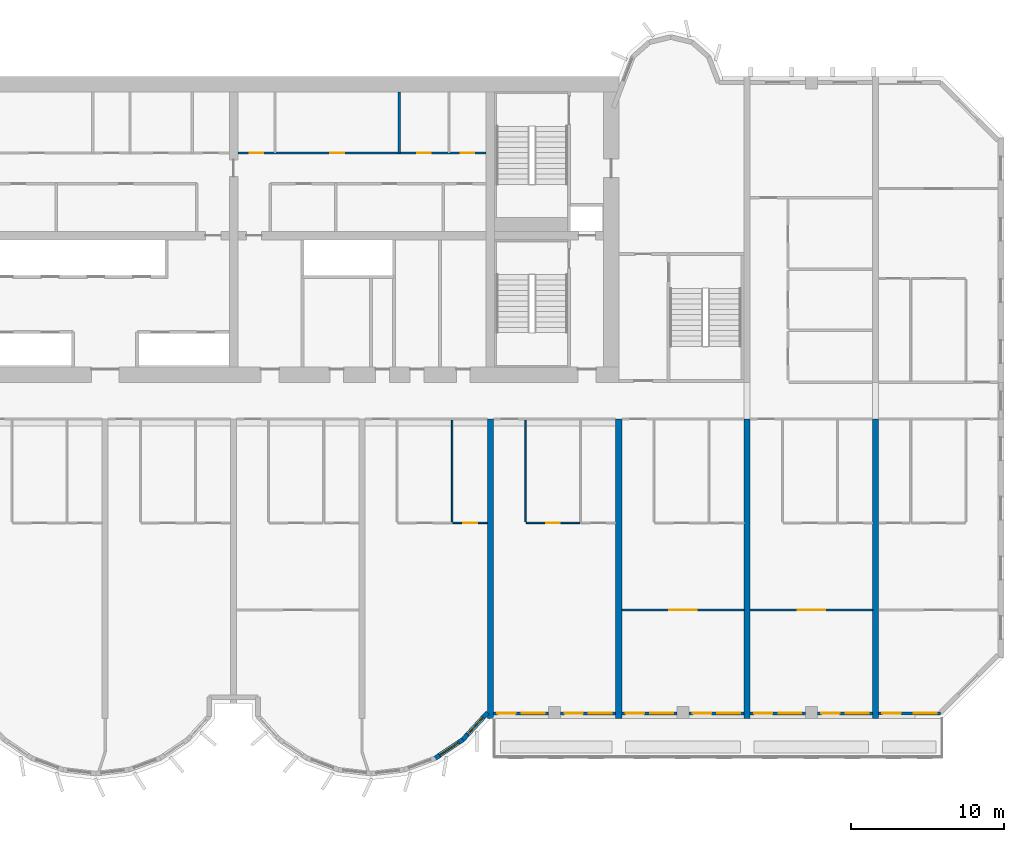
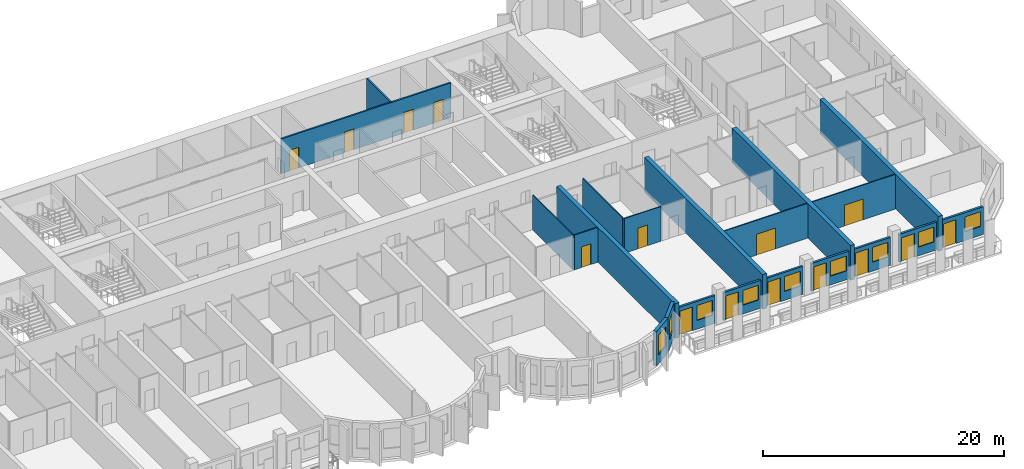
# One storey, part 8 of 15: 21 walls, 15 doors, 9 windows, 24 openings.
"""IFC4 building model written with IfcOpenShell, lengths in metres."""

from ifc_helpers import new_model, si_unit, direction, frame, frame_2d, origin, place, context, subcontext, project, spatial, rectangle, extrude, source, transform, mapped, material, layer, layer_set, type_object, element, fill, save


model = new_model("IFC4")

# Units and contexts
model_context = context("Model", 3, precision=1e-05, world=origin(), true_north=direction((0.0, 1.0)))
body_context = subcontext(model_context, "Body", "Model", "MODEL_VIEW")
ifc_project = project(units=[si_unit("LENGTHUNIT", "METRE"), si_unit("AREAUNIT", "SQUARE_METRE"), si_unit("VOLUMEUNIT", "CUBIC_METRE"), si_unit("PLANEANGLEUNIT", "RADIAN"), si_unit("MASSUNIT", "GRAM", prefix="KILO")], contexts=[model_context])

# Site, building, storey
site_placement = place(None, origin())
site = spatial("IfcSite", under=ifc_project, at=site_placement, CompositionType="ELEMENT")
building_placement = place(site_placement, origin())
building = spatial("IfcBuilding", under=site, at=building_placement, Name="Vanashikhar Sky Hotel", CompositionType="ELEMENT")
storey_placement = place(building_placement, frame((0.0, 0.0, 62.0)))
storey = spatial("IfcBuildingStorey", under=building, at=storey_placement, Name="L14", CompositionType="ELEMENT", Elevation=62.0)

# Walls
ifc_material_1 = material(Name="Concrete M80", Category="concrete")
ifc_layer_1 = layer(ifc_material_1, 0.39990234375)
ifc_layer_set_1 = layer_set([ifc_layer_1], Name="RC shear wall 400 Concrete M80")
wall_type_1 = type_object("IfcWallType", Name="RC shear wall 400 Concrete M80", PredefinedType="SHEAR", material=ifc_layer_set_1)
shared_shape_1 = source(origin(), body_context, "Body", "SweptSolid", [
    extrude(rectangle(XDim=19.60009765625, YDim=0.39990234375, at=frame_2d((9.800048828125, 0.0))), origin(), (0.0, 0.0, 1.0), 3.52001953125),
])
for number, where, z_axis, x_axis, name in (
    (1, (67.199951171875, 0.0, 0.0), (0.0, 0.0, 1.0), (0.0, 1.0, 0.0), "CW-L14-XW09-1"),
    (2, (75.60009765625, 0.0, 0.0), (0.0, 0.0, 1.0), (0.0, 1.0, 0.0), "CW-L14-XW10-1"),
    (3, (84.0, 0.0, 0.0), (0.0, 0.0, 1.0), (0.0, 1.0, 0.0), "CW-L14-XW11-1"),
    (4, (92.39990234375, 0.0, 0.0), (0.0, 0.0, 1.0), (0.0, 1.0, 0.0), "CW-L14-XW12-1"),
):
    element("IfcWall", number, at=place(storey_placement, frame(where, z_axis=z_axis, x_axis=x_axis)), inside=storey, type_object=wall_type_1, Name=name, PredefinedType="SHEAR", context=body_context, shape_type="MappedRepresentation", body=[
        mapped(shared_shape_1, transform((0.0, 0.0, 0.0), scale=1.0)),
    ])

# Wall, opening, window
ifc_material_2 = material(Name="Concrete M50", Category="concrete")
ifc_layer_2 = layer(ifc_material_2, 0.300048828125)
ifc_layer_set_2 = layer_set([ifc_layer_2], Name="Lobe wall 300")
wall_type_2 = type_object("IfcWallType", Name="Lobe wall 300", PredefinedType="SOLIDWALL", material=ifc_layer_set_2)
shared_shape_2 = source(origin(), body_context, "Body", "SweptSolid", [
    extrude(rectangle(XDim=2.398193359375, YDim=0.300048828125, at=frame_2d((1.19921875, 0.0))), origin(), (0.0, 0.0, 1.0), 3.52001953125),
])
wall_1_placement = place(storey_placement, frame((65.404296875, -1.36865234375, 0.0), z_axis=(0.0, 0.0, 1.0), x_axis=(0.675374189419, 0.737475222815, 0.0)))
wall_1 = element("IfcWall", 5, at=wall_1_placement, inside=storey, type_object=wall_type_2, Name="Lobe wall", PredefinedType="SOLIDWALL", context=body_context, shape_type="MappedRepresentation", body=[
    mapped(shared_shape_2, transform((0.0, 0.0, 0.0), scale=1.0)),
])
shared_shape_3 = source(origin(), body_context, "Body", "SweptSolid", [
    extrude(rectangle(XDim=1.5, YDim=2.0, at=frame_2d((0.75, 1.0))), frame((0.0, 0.16015625, 0.0), z_axis=(0.0, -1.0, 0.0), x_axis=(1.0, 0.0, 0.0)), (0.0, 0.0, 1.0), 0.320068359375),
])
opening_1_placement = place(wall_1_placement, frame((0.44921875, 0.0, 0.89990234375)))
opening_1 = element("IfcOpeningElement", 6, at=opening_1_placement, cuts=wall_1, Name="Opening WN-2", PredefinedType="OPENING", context=body_context, shape_type="MappedRepresentation", body=[
    mapped(shared_shape_3, transform((0.0, 0.0, 0.0), scale=1.0)),
])
ifc_material_3 = material(Name="Glass", Category="glass")
window_type_1 = type_object("IfcWindowType", Name="Lobe window 1500 x 2000", PartitioningType="SINGLE_PANEL", PredefinedType="WINDOW", material=ifc_material_3)
shared_shape_4 = source(origin(), body_context, "Body", "SweptSolid", [
    extrude(rectangle(XDim=1.5, YDim=2.0, at=frame_2d((0.75, 1.0))), frame((0.0, 0.030029296875, 0.0), z_axis=(0.0, -1.0, 0.0), x_axis=(1.0, 0.0, 0.0)), (0.0, 0.0, 1.0), 0.06005859375),
])
window_1_placement = place(opening_1_placement, origin())
window_1 = element("IfcWindow", 7, at=window_1_placement, inside=storey, type_object=window_type_1, Name="Window WN-2", OverallHeight=2.0, OverallWidth=1.5, PartitioningType="SINGLE_PANEL", PredefinedType="WINDOW", context=body_context, shape_type="MappedRepresentation", body=[
    mapped(shared_shape_4, transform((0.0, 0.0, 0.0), scale=1.0)),
])
fill(opening_1, window_1)

shared_shape_5 = source(origin(), body_context, "Body", "SweptSolid", [
    extrude(rectangle(XDim=2.17578125, YDim=0.300048828125, at=frame_2d((1.087890625, 0.0))), origin(), (0.0, 0.0, 1.0), 3.52001953125),
])
wall_2_placement = place(storey_placement, frame((63.59912109375, -2.58349609375, 0.0), z_axis=(0.0, 0.0, 1.0), x_axis=(0.829625727223, 0.558319937607, 0.0)))
wall_2 = element("IfcWall", 8, at=wall_2_placement, inside=storey, type_object=wall_type_2, Name="Lobe wall", PredefinedType="SOLIDWALL", context=body_context, shape_type="MappedRepresentation", body=[
    mapped(shared_shape_5, transform((0.0, 0.0, 0.0), scale=1.0)),
])
opening_2_placement = place(wall_2_placement, frame((0.337890625, 0.0, 0.89990234375)))
opening_2 = element("IfcOpeningElement", 9, at=opening_2_placement, cuts=wall_2, Name="Opening WN-2", PredefinedType="OPENING", context=body_context, shape_type="MappedRepresentation", body=[
    mapped(shared_shape_3, transform((0.0, 0.0, 0.0), scale=1.0)),
])
window_2_placement = place(opening_2_placement, origin())
window_2 = element("IfcWindow", 10, at=window_2_placement, inside=storey, type_object=window_type_1, Name="Window WN-2", OverallHeight=2.0, OverallWidth=1.5, PartitioningType="SINGLE_PANEL", PredefinedType="WINDOW", context=body_context, shape_type="MappedRepresentation", body=[
    mapped(shared_shape_4, transform((0.0, 0.0, 0.0), scale=1.0)),
])
fill(opening_2, window_2)

# Wall, openings, window, door
ifc_layer_3 = layer(ifc_material_2, 0.199951171875)
ifc_layer_set_3 = layer_set([ifc_layer_3], Name="Front window wall 200")
wall_type_3 = type_object("IfcWallType", Name="Front window wall 200", PredefinedType="SOLIDWALL", material=ifc_layer_set_3)
shared_shape_6 = source(origin(), body_context, "Body", "SweptSolid", [
    extrude(rectangle(XDim=4.054931640625, YDim=0.199951171875, at=frame_2d((2.02734375, 0.0))), origin(), (0.0, 0.0, 1.0), 2.820068359375),
])
wall_3_placement = place(storey_placement, frame((92.60009765625, 0.35009765625, 0.0), z_axis=(0.0, 0.0, 1.0), x_axis=(1.0, 0.0, 0.0)))
wall_3 = element("IfcWall", 11, at=wall_3_placement, inside=storey, type_object=wall_type_3, Name="Front window wall", PredefinedType="SOLIDWALL", context=body_context, shape_type="MappedRepresentation", body=[
    mapped(shared_shape_6, transform((0.0, 0.0, 0.0), scale=1.0)),
])
shared_shape_7 = source(origin(), body_context, "Body", "SweptSolid", [
    extrude(rectangle(XDim=1.199951171875, YDim=2.39990234375, at=frame_2d((0.60009765625, 1.199951171875))), frame((0.0, 0.10986328125, 0.0), z_axis=(0.0, -1.0, 0.0), x_axis=(1.0, 0.0, 0.0)), (0.0, 0.0, 1.0), 0.219970703125),
])
opening_3_placement = place(wall_3_placement, frame((0.25, 0.0, 0.0)))
opening_3 = element("IfcOpeningElement", 12, at=opening_3_placement, cuts=wall_3, Name="Opening BD-14", PredefinedType="OPENING", context=body_context, shape_type="MappedRepresentation", body=[
    mapped(shared_shape_7, transform((0.0, 0.0, 0.0), scale=1.0)),
])
shared_shape_8 = source(origin(), body_context, "Body", "SweptSolid", [
    extrude(rectangle(XDim=1.5, YDim=1.5, at=frame_2d((0.75, 0.75))), frame((0.0, 0.10986328125, 0.0), z_axis=(0.0, -1.0, 0.0), x_axis=(1.0, 0.0, 0.0)), (0.0, 0.0, 1.0), 0.219970703125),
])
opening_4_placement = place(wall_3_placement, frame((2.304931640625, 0.0, 0.89990234375)))
opening_4 = element("IfcOpeningElement", 13, at=opening_4_placement, cuts=wall_3, Name="Opening WN-1", PredefinedType="OPENING", context=body_context, shape_type="MappedRepresentation", body=[
    mapped(shared_shape_8, transform((0.0, 0.0, 0.0), scale=1.0)),
])
window_type_2 = type_object("IfcWindowType", Name="Window 1500 x 1500", PartitioningType="SINGLE_PANEL", PredefinedType="WINDOW", material=ifc_material_3)
shared_shape_9 = source(origin(), body_context, "Body", "SweptSolid", [
    extrude(rectangle(XDim=1.5, YDim=1.5, at=frame_2d((0.75, 0.75))), frame((0.0, 0.030029296875, 0.0), z_axis=(0.0, -1.0, 0.0), x_axis=(1.0, 0.0, 0.0)), (0.0, 0.0, 1.0), 0.06005859375),
])
window_3_placement = place(opening_4_placement, origin())
window_3 = element("IfcWindow", 14, at=window_3_placement, inside=storey, type_object=window_type_2, Name="Window WN-1", OverallHeight=1.5, OverallWidth=1.5, PartitioningType="SINGLE_PANEL", PredefinedType="WINDOW", context=body_context, shape_type="MappedRepresentation", body=[
    mapped(shared_shape_9, transform((0.0, 0.0, 0.0), scale=1.0)),
])
fill(opening_4, window_3)
ifc_material_4 = material(Name="Aluminium", Category="aluminium")
door_type_1 = type_object("IfcDoorType", Name="Balcony sliding door 1200 x 2400", OperationType="NOTDEFINED", PredefinedType="DOOR", material=ifc_material_4)
shared_shape_10 = source(origin(), body_context, "Body", "SweptSolid", [
    extrude(rectangle(XDim=1.199951171875, YDim=2.39990234375, at=frame_2d((0.60009765625, 1.199951171875))), frame((0.0, 0.02490234375, 0.0), z_axis=(0.0, -1.0, 0.0), x_axis=(1.0, 0.0, 0.0)), (0.0, 0.0, 1.0), 0.050048828125),
])
door_1_placement = place(opening_3_placement, origin())
door_1 = element("IfcDoor", 15, at=door_1_placement, inside=storey, type_object=door_type_1, Name="Balcony sliding door", OperationType="SLIDING_TO_RIGHT", OverallHeight=2.39990234375, OverallWidth=1.199951171875, PredefinedType="DOOR", context=body_context, shape_type="MappedRepresentation", body=[
    mapped(shared_shape_10, transform((0.0, 0.0, 0.0), scale=1.0)),
])
fill(opening_3, door_1)

shared_shape_11 = source(origin(), body_context, "Body", "SweptSolid", [
    extrude(rectangle(XDim=3.599853515625, YDim=0.199951171875, at=frame_2d((1.7998046875, 0.0))), origin(), (0.0, 0.0, 1.0), 2.820068359375),
])
wall_4_placement = place(storey_placement, frame((71.800048828125, 0.35009765625, 0.0), z_axis=(0.0, 0.0, 1.0), x_axis=(1.0, 0.0, 0.0)))
wall_4 = element("IfcWall", 16, at=wall_4_placement, inside=storey, type_object=wall_type_3, Name="Front window wall", PredefinedType="SOLIDWALL", context=body_context, shape_type="MappedRepresentation", body=[
    mapped(shared_shape_11, transform((0.0, 0.0, 0.0), scale=1.0)),
])
opening_5_placement = place(wall_4_placement, frame((0.25, 0.0, 0.0)))
opening_5 = element("IfcOpeningElement", 17, at=opening_5_placement, cuts=wall_4, Name="Opening BD-09", PredefinedType="OPENING", context=body_context, shape_type="MappedRepresentation", body=[
    mapped(shared_shape_7, transform((0.0, 0.0, 0.0), scale=1.0)),
])
opening_6_placement = place(wall_4_placement, frame((1.85009765625, 0.0, 0.89990234375)))
opening_6 = element("IfcOpeningElement", 18, at=opening_6_placement, cuts=wall_4, Name="Opening WN-1", PredefinedType="OPENING", context=body_context, shape_type="MappedRepresentation", body=[
    mapped(shared_shape_8, transform((0.0, 0.0, 0.0), scale=1.0)),
])
window_4_placement = place(opening_6_placement, origin())
window_4 = element("IfcWindow", 19, at=window_4_placement, inside=storey, type_object=window_type_2, Name="Window WN-1", OverallHeight=1.5, OverallWidth=1.5, PartitioningType="SINGLE_PANEL", PredefinedType="WINDOW", context=body_context, shape_type="MappedRepresentation", body=[
    mapped(shared_shape_9, transform((0.0, 0.0, 0.0), scale=1.0)),
])
fill(opening_6, window_4)
door_2_placement = place(opening_5_placement, origin())
door_2 = element("IfcDoor", 20, at=door_2_placement, inside=storey, type_object=door_type_1, Name="Balcony sliding door", OperationType="SLIDING_TO_LEFT", OverallHeight=2.39990234375, OverallWidth=1.199951171875, PredefinedType="DOOR", context=body_context, shape_type="MappedRepresentation", body=[
    mapped(shared_shape_10, transform((0.0, 0.0, 0.0), scale=1.0)),
])
fill(opening_5, door_2)

wall_5_placement = place(storey_placement, frame((75.800048828125, 0.35009765625, 0.0), z_axis=(0.0, 0.0, 1.0), x_axis=(1.0, 0.0, 0.0)))
wall_5 = element("IfcWall", 21, at=wall_5_placement, inside=storey, type_object=wall_type_3, Name="Front window wall", PredefinedType="SOLIDWALL", context=body_context, shape_type="MappedRepresentation", body=[
    mapped(shared_shape_11, transform((0.0, 0.0, 0.0), scale=1.0)),
])
opening_7_placement = place(wall_5_placement, frame((0.25, 0.0, 0.0)))
opening_7 = element("IfcOpeningElement", 22, at=opening_7_placement, cuts=wall_5, Name="Opening BD-10", PredefinedType="OPENING", context=body_context, shape_type="MappedRepresentation", body=[
    mapped(shared_shape_7, transform((0.0, 0.0, 0.0), scale=1.0)),
])
opening_8_placement = place(wall_5_placement, frame((1.85009765625, 0.0, 0.89990234375)))
opening_8 = element("IfcOpeningElement", 23, at=opening_8_placement, cuts=wall_5, Name="Opening WN-1", PredefinedType="OPENING", context=body_context, shape_type="MappedRepresentation", body=[
    mapped(shared_shape_8, transform((0.0, 0.0, 0.0), scale=1.0)),
])
window_5_placement = place(opening_8_placement, origin())
window_5 = element("IfcWindow", 24, at=window_5_placement, inside=storey, type_object=window_type_2, Name="Window WN-1", OverallHeight=1.5, OverallWidth=1.5, PartitioningType="SINGLE_PANEL", PredefinedType="WINDOW", context=body_context, shape_type="MappedRepresentation", body=[
    mapped(shared_shape_9, transform((0.0, 0.0, 0.0), scale=1.0)),
])
fill(opening_8, window_5)
door_3_placement = place(opening_7_placement, origin())
door_3 = element("IfcDoor", 25, at=door_3_placement, inside=storey, type_object=door_type_1, Name="Balcony sliding door", OperationType="SLIDING_TO_RIGHT", OverallHeight=2.39990234375, OverallWidth=1.199951171875, PredefinedType="DOOR", context=body_context, shape_type="MappedRepresentation", body=[
    mapped(shared_shape_10, transform((0.0, 0.0, 0.0), scale=1.0)),
])
fill(opening_7, door_3)

wall_6_placement = place(storey_placement, frame((88.60009765625, 0.35009765625, 0.0), z_axis=(0.0, 0.0, 1.0), x_axis=(1.0, 0.0, 0.0)))
wall_6 = element("IfcWall", 26, at=wall_6_placement, inside=storey, type_object=wall_type_3, Name="Front window wall", PredefinedType="SOLIDWALL", context=body_context, shape_type="MappedRepresentation", body=[
    mapped(shared_shape_11, transform((0.0, 0.0, 0.0), scale=1.0)),
])
opening_9_placement = place(wall_6_placement, frame((0.25, 0.0, 0.0)))
opening_9 = element("IfcOpeningElement", 27, at=opening_9_placement, cuts=wall_6, Name="Opening BD-13", PredefinedType="OPENING", context=body_context, shape_type="MappedRepresentation", body=[
    mapped(shared_shape_7, transform((0.0, 0.0, 0.0), scale=1.0)),
])
opening_10_placement = place(wall_6_placement, frame((1.85009765625, 0.0, 0.89990234375)))
opening_10 = element("IfcOpeningElement", 28, at=opening_10_placement, cuts=wall_6, Name="Opening WN-1", PredefinedType="OPENING", context=body_context, shape_type="MappedRepresentation", body=[
    mapped(shared_shape_8, transform((0.0, 0.0, 0.0), scale=1.0)),
])
window_6_placement = place(opening_10_placement, origin())
window_6 = element("IfcWindow", 29, at=window_6_placement, inside=storey, type_object=window_type_2, Name="Window WN-1", OverallHeight=1.5, OverallWidth=1.5, PartitioningType="SINGLE_PANEL", PredefinedType="WINDOW", context=body_context, shape_type="MappedRepresentation", body=[
    mapped(shared_shape_9, transform((0.0, 0.0, 0.0), scale=1.0)),
])
fill(opening_10, window_6)
door_4_placement = place(opening_9_placement, origin())
door_4 = element("IfcDoor", 30, at=door_4_placement, inside=storey, type_object=door_type_1, Name="Balcony sliding door", OperationType="SLIDING_TO_LEFT", OverallHeight=2.39990234375, OverallWidth=1.199951171875, PredefinedType="DOOR", context=body_context, shape_type="MappedRepresentation", body=[
    mapped(shared_shape_10, transform((0.0, 0.0, 0.0), scale=1.0)),
])
fill(opening_9, door_4)

shared_shape_12 = source(origin(), body_context, "Body", "SweptSolid", [
    extrude(rectangle(XDim=3.60009765625, YDim=0.199951171875, at=frame_2d((1.800048828125, 0.0))), origin(), (0.0, 0.0, 1.0), 2.820068359375),
])
wall_7_placement = place(storey_placement, frame((67.39990234375, 0.35009765625, 0.0), z_axis=(0.0, 0.0, 1.0), x_axis=(1.0, 0.0, 0.0)))
wall_7 = element("IfcWall", 31, at=wall_7_placement, inside=storey, type_object=wall_type_3, Name="Front window wall", PredefinedType="SOLIDWALL", context=body_context, shape_type="MappedRepresentation", body=[
    mapped(shared_shape_12, transform((0.0, 0.0, 0.0), scale=1.0)),
])
opening_11_placement = place(wall_7_placement, frame((0.25, 0.0, 0.0)))
opening_11 = element("IfcOpeningElement", 32, at=opening_11_placement, cuts=wall_7, Name="Opening BD-08", PredefinedType="OPENING", context=body_context, shape_type="MappedRepresentation", body=[
    mapped(shared_shape_7, transform((0.0, 0.0, 0.0), scale=1.0)),
])
opening_12_placement = place(wall_7_placement, frame((1.85009765625, 0.0, 0.89990234375)))
opening_12 = element("IfcOpeningElement", 33, at=opening_12_placement, cuts=wall_7, Name="Opening WN-1", PredefinedType="OPENING", context=body_context, shape_type="MappedRepresentation", body=[
    mapped(shared_shape_8, transform((0.0, 0.0, 0.0), scale=1.0)),
])
window_7_placement = place(opening_12_placement, origin())
window_7 = element("IfcWindow", 34, at=window_7_placement, inside=storey, type_object=window_type_2, Name="Window WN-1", OverallHeight=1.5, OverallWidth=1.5, PartitioningType="SINGLE_PANEL", PredefinedType="WINDOW", context=body_context, shape_type="MappedRepresentation", body=[
    mapped(shared_shape_9, transform((0.0, 0.0, 0.0), scale=1.0)),
])
fill(opening_12, window_7)
door_5_placement = place(opening_11_placement, origin())
door_5 = element("IfcDoor", 35, at=door_5_placement, inside=storey, type_object=door_type_1, Name="Balcony sliding door", OperationType="SLIDING_TO_RIGHT", OverallHeight=2.39990234375, OverallWidth=1.199951171875, PredefinedType="DOOR", context=body_context, shape_type="MappedRepresentation", body=[
    mapped(shared_shape_10, transform((0.0, 0.0, 0.0), scale=1.0)),
])
fill(opening_11, door_5)

wall_8_placement = place(storey_placement, frame((80.199951171875, 0.35009765625, 0.0), z_axis=(0.0, 0.0, 1.0), x_axis=(1.0, 0.0, 0.0)))
wall_8 = element("IfcWall", 36, at=wall_8_placement, inside=storey, type_object=wall_type_3, Name="Front window wall", PredefinedType="SOLIDWALL", context=body_context, shape_type="MappedRepresentation", body=[
    mapped(shared_shape_12, transform((0.0, 0.0, 0.0), scale=1.0)),
])
opening_13_placement = place(wall_8_placement, frame((0.25, 0.0, 0.0)))
opening_13 = element("IfcOpeningElement", 37, at=opening_13_placement, cuts=wall_8, Name="Opening BD-11", PredefinedType="OPENING", context=body_context, shape_type="MappedRepresentation", body=[
    mapped(shared_shape_7, transform((0.0, 0.0, 0.0), scale=1.0)),
])
opening_14_placement = place(wall_8_placement, frame((1.85009765625, 0.0, 0.89990234375)))
opening_14 = element("IfcOpeningElement", 38, at=opening_14_placement, cuts=wall_8, Name="Opening WN-1", PredefinedType="OPENING", context=body_context, shape_type="MappedRepresentation", body=[
    mapped(shared_shape_8, transform((0.0, 0.0, 0.0), scale=1.0)),
])
window_8_placement = place(opening_14_placement, origin())
window_8 = element("IfcWindow", 39, at=window_8_placement, inside=storey, type_object=window_type_2, Name="Window WN-1", OverallHeight=1.5, OverallWidth=1.5, PartitioningType="SINGLE_PANEL", PredefinedType="WINDOW", context=body_context, shape_type="MappedRepresentation", body=[
    mapped(shared_shape_9, transform((0.0, 0.0, 0.0), scale=1.0)),
])
fill(opening_14, window_8)
door_6_placement = place(opening_13_placement, origin())
door_6 = element("IfcDoor", 40, at=door_6_placement, inside=storey, type_object=door_type_1, Name="Balcony sliding door", OperationType="SLIDING_TO_LEFT", OverallHeight=2.39990234375, OverallWidth=1.199951171875, PredefinedType="DOOR", context=body_context, shape_type="MappedRepresentation", body=[
    mapped(shared_shape_10, transform((0.0, 0.0, 0.0), scale=1.0)),
])
fill(opening_13, door_6)

wall_9_placement = place(storey_placement, frame((84.199951171875, 0.35009765625, 0.0), z_axis=(0.0, 0.0, 1.0), x_axis=(1.0, 0.0, 0.0)))
wall_9 = element("IfcWall", 41, at=wall_9_placement, inside=storey, type_object=wall_type_3, Name="Front window wall", PredefinedType="SOLIDWALL", context=body_context, shape_type="MappedRepresentation", body=[
    mapped(shared_shape_12, transform((0.0, 0.0, 0.0), scale=1.0)),
])
opening_15_placement = place(wall_9_placement, frame((0.25, 0.0, 0.0)))
opening_15 = element("IfcOpeningElement", 42, at=opening_15_placement, cuts=wall_9, Name="Opening BD-12", PredefinedType="OPENING", context=body_context, shape_type="MappedRepresentation", body=[
    mapped(shared_shape_7, transform((0.0, 0.0, 0.0), scale=1.0)),
])
opening_16_placement = place(wall_9_placement, frame((1.85009765625, 0.0, 0.89990234375)))
opening_16 = element("IfcOpeningElement", 43, at=opening_16_placement, cuts=wall_9, Name="Opening WN-1", PredefinedType="OPENING", context=body_context, shape_type="MappedRepresentation", body=[
    mapped(shared_shape_8, transform((0.0, 0.0, 0.0), scale=1.0)),
])
window_9_placement = place(opening_16_placement, origin())
window_9 = element("IfcWindow", 44, at=window_9_placement, inside=storey, type_object=window_type_2, Name="Window WN-1", OverallHeight=1.5, OverallWidth=1.5, PartitioningType="SINGLE_PANEL", PredefinedType="WINDOW", context=body_context, shape_type="MappedRepresentation", body=[
    mapped(shared_shape_9, transform((0.0, 0.0, 0.0), scale=1.0)),
])
fill(opening_16, window_9)
door_7_placement = place(opening_15_placement, origin())
door_7 = element("IfcDoor", 45, at=door_7_placement, inside=storey, type_object=door_type_1, Name="Balcony sliding door", OperationType="SLIDING_TO_RIGHT", OverallHeight=2.39990234375, OverallWidth=1.199951171875, PredefinedType="DOOR", context=body_context, shape_type="MappedRepresentation", body=[
    mapped(shared_shape_10, transform((0.0, 0.0, 0.0), scale=1.0)),
])
fill(opening_15, door_7)

# Wall, openings, doors
ifc_material_5 = material(Name="Gypsum board partition")
ifc_layer_4 = layer(ifc_material_5, 0.14990234375)
ifc_layer_set_4 = layer_set([ifc_layer_4], Name="Service partition 150")
wall_type_4 = type_object("IfcWallType", Name="Service partition 150", PredefinedType="PARTITIONING", material=ifc_layer_set_4)
shared_shape_13 = source(origin(), body_context, "Body", "SweptSolid", [
    extrude(rectangle(XDim=16.25, YDim=0.14990234375, at=frame_2d((8.125, 0.0))), origin(), (0.0, 0.0, 1.0), 3.52001953125),
])
wall_10_placement = place(storey_placement, frame((66.925048828125, 37.0, 0.0), z_axis=(0.0, 0.0, 1.0), x_axis=(-1.0, 0.0, 0.0)))
wall_10 = element("IfcWall", 46, at=wall_10_placement, inside=storey, type_object=wall_type_4, Name="Service partition 150", PredefinedType="PARTITIONING", context=body_context, shape_type="MappedRepresentation", body=[
    mapped(shared_shape_13, transform((0.0, 0.0, 0.0), scale=1.0)),
])
shared_shape_14 = source(origin(), body_context, "Body", "SweptSolid", [
    extrude(rectangle(XDim=0.89990234375, YDim=2.10009765625, at=frame_2d((0.449951171875, 1.050048828125))), frame((0.0, 0.0849609375, 0.0), z_axis=(0.0, -1.0, 0.0), x_axis=(1.0, 0.0, 0.0)), (0.0, 0.0, 1.0), 0.169921875),
])
opening_17_placement = place(wall_10_placement, frame((0.76904296875, 0.0, 0.0)))
opening_17 = element("IfcOpeningElement", 47, at=opening_17_placement, cuts=wall_10, Name="Opening DC-4-A", PredefinedType="OPENING", context=body_context, shape_type="MappedRepresentation", body=[
    mapped(shared_shape_14, transform((0.0, 0.0, 0.0), scale=1.0)),
])
opening_18_placement = place(wall_10_placement, frame((3.613037109375, 0.0, 0.0)))
opening_18 = element("IfcOpeningElement", 48, at=opening_18_placement, cuts=wall_10, Name="Opening DC-4-A", PredefinedType="OPENING", context=body_context, shape_type="MappedRepresentation", body=[
    mapped(shared_shape_14, transform((0.0, 0.0, 0.0), scale=1.0)),
])
opening_19_placement = place(wall_10_placement, frame((9.300048828125, 0.0, 0.0)))
opening_19 = element("IfcOpeningElement", 49, at=opening_19_placement, cuts=wall_10, Name="Opening DC-4-A", PredefinedType="OPENING", context=body_context, shape_type="MappedRepresentation", body=[
    mapped(shared_shape_14, transform((0.0, 0.0, 0.0), scale=1.0)),
])
opening_20_placement = place(wall_10_placement, frame((14.5810546875, 0.0, 0.0)))
opening_20 = element("IfcOpeningElement", 50, at=opening_20_placement, cuts=wall_10, Name="Opening DC-4-A", PredefinedType="OPENING", context=body_context, shape_type="MappedRepresentation", body=[
    mapped(shared_shape_14, transform((0.0, 0.0, 0.0), scale=1.0)),
])
ifc_material_6 = material(Name="Steel", Category="steel")
door_type_2 = type_object("IfcDoorType", Name="Service door 900 FD60", OperationType="NOTDEFINED", PredefinedType="DOOR", material=ifc_material_6)
shared_shape_15 = source(origin(), body_context, "Body", "SweptSolid", [
    extrude(rectangle(XDim=0.89990234375, YDim=2.10009765625, at=frame_2d((0.449951171875, 1.050048828125))), frame((0.0, 0.02490234375, 0.0), z_axis=(0.0, -1.0, 0.0), x_axis=(1.0, 0.0, 0.0)), (0.0, 0.0, 1.0), 0.050048828125),
])
door_8_placement = place(opening_17_placement, origin())
door_8 = element("IfcDoor", 51, at=door_8_placement, inside=storey, type_object=door_type_2, Name="Service door 900 FD60", OperationType="SINGLE_SWING_LEFT", OverallHeight=2.10009765625, OverallWidth=0.89990234375, PredefinedType="DOOR", context=body_context, shape_type="MappedRepresentation", body=[
    mapped(shared_shape_15, transform((0.0, 0.0, 0.0), scale=1.0)),
])
fill(opening_17, door_8)
door_9_placement = place(opening_18_placement, origin())
door_9 = element("IfcDoor", 52, at=door_9_placement, inside=storey, type_object=door_type_2, Name="Service door 900 FD60", OperationType="SINGLE_SWING_RIGHT", OverallHeight=2.10009765625, OverallWidth=0.89990234375, PredefinedType="DOOR", context=body_context, shape_type="MappedRepresentation", body=[
    mapped(shared_shape_15, transform((0.0, 0.0, 0.0), scale=1.0)),
])
fill(opening_18, door_9)
door_10_placement = place(opening_19_placement, origin())
door_10 = element("IfcDoor", 53, at=door_10_placement, inside=storey, type_object=door_type_2, Name="Service door 900 FD60", OperationType="SINGLE_SWING_RIGHT", OverallHeight=2.10009765625, OverallWidth=0.89990234375, PredefinedType="DOOR", context=body_context, shape_type="MappedRepresentation", body=[
    mapped(shared_shape_15, transform((0.0, 0.0, 0.0), scale=1.0)),
])
fill(opening_19, door_10)
door_11_placement = place(opening_20_placement, origin())
door_11 = element("IfcDoor", 54, at=door_11_placement, inside=storey, type_object=door_type_2, Name="Service door 900 FD60", OperationType="SINGLE_SWING_RIGHT", OverallHeight=2.10009765625, OverallWidth=0.89990234375, PredefinedType="DOOR", context=body_context, shape_type="MappedRepresentation", body=[
    mapped(shared_shape_15, transform((0.0, 0.0, 0.0), scale=1.0)),
])
fill(opening_20, door_11)

# Wall
shared_shape_16 = source(origin(), body_context, "Body", "SweptSolid", [
    extrude(rectangle(XDim=4.0, YDim=0.14990234375, at=frame_2d((2.0, 0.0))), origin(), (0.0, 0.0, 1.0), 3.52001953125),
])
wall_11_placement = place(storey_placement, frame((61.237060546875, 37.0, 0.0), z_axis=(0.0, 0.0, 1.0), x_axis=(0.0, 1.0, 0.0)))
element("IfcWall", 55, at=wall_11_placement, inside=storey, type_object=wall_type_4, Name="Service partition 150", PredefinedType="PARTITIONING", context=body_context, shape_type="MappedRepresentation", body=[
    mapped(shared_shape_16, transform((0.0, 0.0, 0.0), scale=1.0)),
])

# Wall, opening, door
ifc_material_7 = material(Name="Gypsum plasterboard partition")
ifc_layer_5 = layer(ifc_material_7, 0.10009765625)
ifc_layer_set_5 = layer_set([ifc_layer_5], Name="Wet room partition 100")
wall_type_5 = type_object("IfcWallType", Name="Wet room partition 100", PredefinedType="PARTITIONING", material=ifc_layer_set_5)
shared_shape_17 = source(origin(), body_context, "Body", "SweptSolid", [
    extrude(rectangle(XDim=3.5, YDim=0.10009765625, at=frame_2d((1.75, 0.0))), origin(), (0.0, 0.0, 1.0), 3.52001953125),
])
wall_12_placement = place(storey_placement, frame((69.550048828125, 12.800048828125, 0.0), z_axis=(0.0, 0.0, 1.0), x_axis=(1.0, 0.0, 0.0)))
wall_12 = element("IfcWall", 56, at=wall_12_placement, inside=storey, type_object=wall_type_5, Name="W-L14-PW047", PredefinedType="PARTITIONING", context=body_context, shape_type="MappedRepresentation", body=[
    mapped(shared_shape_17, transform((0.0, 0.0, 0.0), scale=1.0)),
])
shared_shape_18 = source(origin(), body_context, "Body", "SweptSolid", [
    extrude(rectangle(XDim=0.89990234375, YDim=2.10009765625, at=frame_2d((0.449951171875, 1.050048828125))), frame((0.0, 0.06005859375, 0.0), z_axis=(0.0, -1.0, 0.0), x_axis=(1.0, 0.0, 0.0)), (0.0, 0.0, 1.0), 0.1201171875),
])
opening_21_placement = place(wall_12_placement, frame((1.300048828125, 0.0, 0.0)))
opening_21 = element("IfcOpeningElement", 57, at=opening_21_placement, cuts=wall_12, Name="Opening D-02", PredefinedType="OPENING", context=body_context, shape_type="MappedRepresentation", body=[
    mapped(shared_shape_18, transform((0.0, 0.0, 0.0), scale=1.0)),
])
ifc_material_8 = material(Name="Timber door", Category="wood")
door_type_3 = type_object("IfcDoorType", Name="Internal door 900", OperationType="NOTDEFINED", PredefinedType="DOOR", material=ifc_material_8)
door_12_placement = place(opening_21_placement, origin())
door_12 = element("IfcDoor", 58, at=door_12_placement, inside=storey, type_object=door_type_3, Name="D-L14-028", OperationType="SINGLE_SWING_LEFT", OverallHeight=2.10009765625, OverallWidth=0.89990234375, PredefinedType="DOOR", context=body_context, shape_type="MappedRepresentation", body=[
    mapped(shared_shape_15, transform((0.0, 0.0, 0.0), scale=1.0)),
])
fill(opening_21, door_12)

shared_shape_19 = source(origin(), body_context, "Body", "SweptSolid", [
    extrude(rectangle(XDim=8.0, YDim=0.10009765625, at=frame_2d((4.0, 0.0))), origin(), (0.0, 0.0, 1.0), 3.52001953125),
])
wall_13_placement = place(storey_placement, frame((75.800048828125, 7.10791015625, 0.0), z_axis=(0.0, 0.0, 1.0), x_axis=(1.0, 0.0, 0.0)))
wall_13 = element("IfcWall", 59, at=wall_13_placement, inside=storey, type_object=wall_type_5, Name="W-L14-PW054", PredefinedType="PARTITIONING", context=body_context, shape_type="MappedRepresentation", body=[
    mapped(shared_shape_19, transform((0.0, 0.0, 0.0), scale=1.0)),
])
shared_shape_20 = source(origin(), body_context, "Body", "SweptSolid", [
    extrude(rectangle(XDim=1.800048828125, YDim=2.10009765625, at=frame_2d((0.89990234375, 1.050048828125))), frame((0.0, 0.06005859375, 0.0), z_axis=(0.0, -1.0, 0.0), x_axis=(1.0, 0.0, 0.0)), (0.0, 0.0, 1.0), 0.1201171875),
])
opening_22_placement = place(wall_13_placement, frame((3.10009765625, 0.0, 0.0)))
opening_22 = element("IfcOpeningElement", 60, at=opening_22_placement, cuts=wall_13, Name="Opening D-08", PredefinedType="OPENING", context=body_context, shape_type="MappedRepresentation", body=[
    mapped(shared_shape_20, transform((0.0, 0.0, 0.0), scale=1.0)),
])
door_type_4 = type_object("IfcDoorType", Name="Double leaf door 1800", OperationType="NOTDEFINED", PredefinedType="DOOR", material=ifc_material_8)
shared_shape_21 = source(origin(), body_context, "Body", "SweptSolid", [
    extrude(rectangle(XDim=1.800048828125, YDim=2.10009765625, at=frame_2d((0.89990234375, 1.050048828125))), frame((0.0, 0.02490234375, 0.0), z_axis=(0.0, -1.0, 0.0), x_axis=(1.0, 0.0, 0.0)), (0.0, 0.0, 1.0), 0.050048828125),
])
door_13_placement = place(opening_22_placement, origin())
door_13 = element("IfcDoor", 61, at=door_13_placement, inside=storey, type_object=door_type_4, Name="D-L14-033", OperationType="DOUBLE_DOOR_SINGLE_SWING", OverallHeight=2.10009765625, OverallWidth=1.800048828125, PredefinedType="DOOR", context=body_context, shape_type="MappedRepresentation", body=[
    mapped(shared_shape_21, transform((0.0, 0.0, 0.0), scale=1.0)),
])
fill(opening_22, door_13)

wall_14_placement = place(storey_placement, frame((84.199951171875, 7.10791015625, 0.0), z_axis=(0.0, 0.0, 1.0), x_axis=(1.0, 0.0, 0.0)))
wall_14 = element("IfcWall", 62, at=wall_14_placement, inside=storey, type_object=wall_type_5, Name="W-L14-PW060", PredefinedType="PARTITIONING", context=body_context, shape_type="MappedRepresentation", body=[
    mapped(shared_shape_19, transform((0.0, 0.0, 0.0), scale=1.0)),
])
opening_23_placement = place(wall_14_placement, frame((3.10009765625, 0.0, 0.0)))
opening_23 = element("IfcOpeningElement", 63, at=opening_23_placement, cuts=wall_14, Name="Opening D-08", PredefinedType="OPENING", context=body_context, shape_type="MappedRepresentation", body=[
    mapped(shared_shape_20, transform((0.0, 0.0, 0.0), scale=1.0)),
])
door_14_placement = place(opening_23_placement, origin())
door_14 = element("IfcDoor", 64, at=door_14_placement, inside=storey, type_object=door_type_4, Name="D-L14-037", OperationType="DOUBLE_DOOR_SINGLE_SWING", OverallHeight=2.10009765625, OverallWidth=1.800048828125, PredefinedType="DOOR", context=body_context, shape_type="MappedRepresentation", body=[
    mapped(shared_shape_21, transform((0.0, 0.0, 0.0), scale=1.0)),
])
fill(opening_23, door_14)

# Walls
shared_shape_22 = source(origin(), body_context, "Body", "SweptSolid", [
    extrude(rectangle(XDim=6.64990234375, YDim=0.10009765625, at=frame_2d((3.324951171875, 0.0))), origin(), (0.0, 0.0, 1.0), 3.52001953125),
])
for number, where, z_axis, x_axis, name in (
    (65, (64.699951171875, 12.875, 0.0), (0.0, 0.0, 1.0), (0.0, 1.0, 0.0), "W-L14-PW041"),
    (66, (69.5, 12.875, 0.0), (0.0, 0.0, 1.0), (0.0, 1.0, 0.0), "W-L14-PW045"),
):
    element("IfcWall", number, at=place(storey_placement, frame(where, z_axis=z_axis, x_axis=x_axis)), inside=storey, type_object=wall_type_5, Name=name, PredefinedType="PARTITIONING", context=body_context, shape_type="MappedRepresentation", body=[
        mapped(shared_shape_22, transform((0.0, 0.0, 0.0), scale=1.0)),
    ])

# Wall, opening, door
shared_shape_23 = source(origin(), body_context, "Body", "SweptSolid", [
    extrude(rectangle(XDim=2.25, YDim=0.10009765625, at=frame_2d((1.125, 0.0))), origin(), (0.0, 0.0, 1.0), 3.52001953125),
])
wall_15_placement = place(storey_placement, frame((64.75, 12.800048828125, 0.0), z_axis=(0.0, 0.0, 1.0), x_axis=(1.0, 0.0, 0.0)))
wall_15 = element("IfcWall", 67, at=wall_15_placement, inside=storey, type_object=wall_type_5, Name="W-L14-PW043", PredefinedType="PARTITIONING", context=body_context, shape_type="MappedRepresentation", body=[
    mapped(shared_shape_23, transform((0.0, 0.0, 0.0), scale=1.0)),
])
opening_24_placement = place(wall_15_placement, frame((0.675048828125, 0.0, 0.0)))
opening_24 = element("IfcOpeningElement", 68, at=opening_24_placement, cuts=wall_15, Name="Opening D-02", PredefinedType="OPENING", context=body_context, shape_type="MappedRepresentation", body=[
    mapped(shared_shape_18, transform((0.0, 0.0, 0.0), scale=1.0)),
])
door_15_placement = place(opening_24_placement, origin())
door_15 = element("IfcDoor", 69, at=door_15_placement, inside=storey, type_object=door_type_3, Name="D-L14-026", OperationType="SINGLE_SWING_LEFT", OverallHeight=2.10009765625, OverallWidth=0.89990234375, PredefinedType="DOOR", context=body_context, shape_type="MappedRepresentation", body=[
    mapped(shared_shape_15, transform((0.0, 0.0, 0.0), scale=1.0)),
])
fill(opening_24, door_15)

save(model, "model.ifc")
